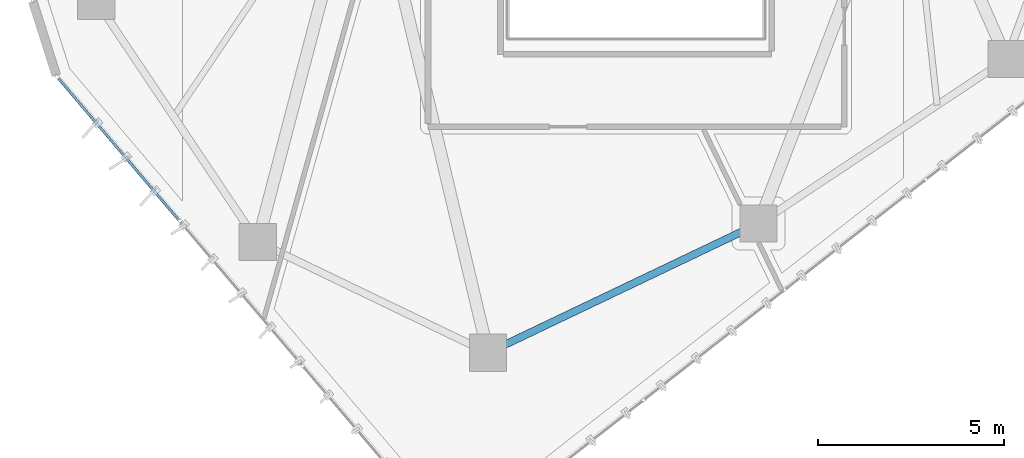
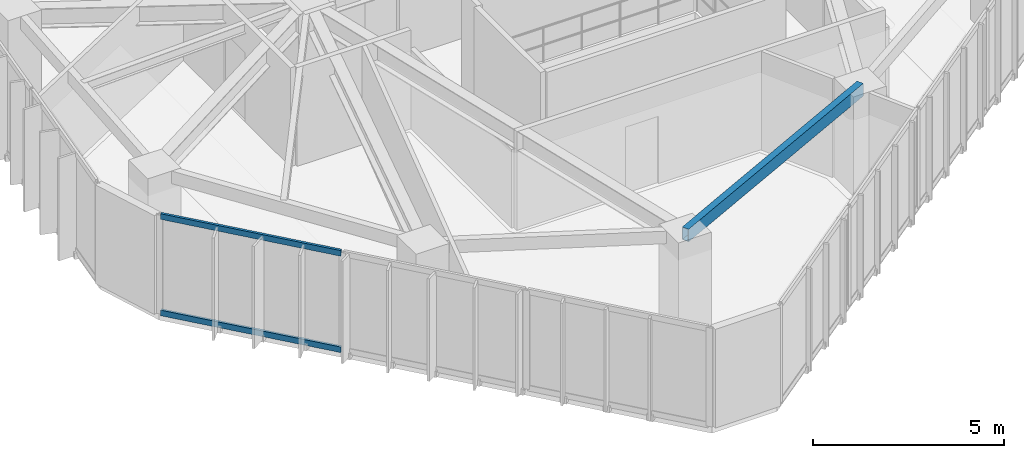
# One storey, part 3 of 21: 2 members, 1 beam, 1 element without a shape of its own.
"""IFC4 building model written with IfcOpenShell, lengths in metres."""

from ifc_helpers import new_model, si_unit, direction, frame, origin, origin_2d, place, context, subcontext, project, spatial, hollow_rectangle, extrude, source, transform, mapped, material, layer, layer_set, material_profile, profile_set, type_object, type_shapes, element, aggregate, save


model = new_model("IFC4")

# Units and contexts
model_context = context("Model", 3, precision=1e-05, world=origin(), true_north=direction((0.0, 1.0)))
body_context = subcontext(model_context, "Body", "Model", "MODEL_VIEW")
ifc_project = project(units=[si_unit("LENGTHUNIT", "METRE"), si_unit("AREAUNIT", "SQUARE_METRE"), si_unit("VOLUMEUNIT", "CUBIC_METRE"), si_unit("PLANEANGLEUNIT", "RADIAN"), si_unit("MASSUNIT", "GRAM", prefix="KILO")], contexts=[model_context])

# Site, building, storey
site_placement = place(None, origin())
site = spatial("IfcSite", under=ifc_project, at=site_placement, CompositionType="ELEMENT")
building_placement = place(site_placement, origin())
building = spatial("IfcBuilding", under=site, at=building_placement, Name="Talar Marvaseh", CompositionType="ELEMENT")
storey_placement = place(building_placement, frame((0.0, 0.0, 232.699951171875)))
storey = spatial("IfcBuildingStorey", under=building, at=storey_placement, Name="L61", CompositionType="ELEMENT", Elevation=232.699951171875)

# Beam
ifc_material_1 = material(Name="Steel S355", Category="steel")
ifc_material_profile_1 = material_profile(ifc_material_1, hollow_rectangle(XDim=0.199951171875, YDim=0.39990234375, WallThickness=0.013916015625, at=origin_2d()), Name="RHS400x200x14")
ifc_profile_set_1 = profile_set([ifc_material_profile_1], Name="Steel S355")
beam_type = type_object("IfcBeamType", Name="Zone 3 Perimeter Spandrel Beam RHS400x200x14", PredefinedType="SPANDREL", material=ifc_profile_set_1)
beam_placement = place(storey_placement, frame((29.299072265625, 14.993896484375, 2.949951171875), z_axis=(-0.902562267408, -0.430559349511, 0.0), x_axis=(0.430559349511, -0.902562267408, 0.0)))
element("IfcBeam", 1, at=beam_placement, inside=storey, type_object=beam_type, Name="L61 Zone 3 Perimeter Spandrel Beam RHS400x200x14", PredefinedType="SPANDREL", context=body_context, shape_type="SweptSolid", body=[
    extrude(hollow_rectangle(XDim=0.199951171875, YDim=0.39990234375, WallThickness=0.013916015625, at=origin_2d()), origin(), (0.0, 0.0, 1.0), 8.070556640625),
])

# Curtain wall, members
ifc_material_2 = material(Name="Architectural Aluminium", Category="aluminium")
ifc_layer = layer(ifc_material_2, 0.18994140625)
ifc_layer_set = layer_set([ifc_layer], Name="Architectural Aluminium")
curtain_wall_type = type_object("IfcCurtainWallType", Name="Unitised Solar Atelier Curtain Wall Z3", PredefinedType="NOTDEFINED", material=ifc_layer_set)
curtain_wall_placement = place(storey_placement, origin())
curtain_wall = element("IfcCurtainWall", 2, at=curtain_wall_placement, inside=storey, type_object=curtain_wall_type, Name="L61 Unitised Solar Atelier Curtain Wall Z3", PredefinedType="NOTDEFINED")
ifc_material_profile_2 = material_profile(ifc_material_2, hollow_rectangle(XDim=0.074951171875, YDim=0.179931640625, WallThickness=0.0048828125, at=origin_2d()), Name="RHS180x75x5")
ifc_profile_set_2 = profile_set([ifc_material_profile_2], Name="Architectural Aluminium")
member_type = type_object("IfcMemberType", Name="Unitised Curtain Wall Transom RHS180x75x5", PredefinedType="USERDEFINED", material=ifc_profile_set_2)
shared_shape = source(origin(), body_context, "Body", "SweptSolid", [
    extrude(hollow_rectangle(XDim=0.074951171875, YDim=0.179931640625, WallThickness=0.0048828125, at=origin_2d()), origin(), (0.0, 0.0, 1.0), 5.00048828125),
])
type_shapes(member_type, [shared_shape])
member_1_placement = place(storey_placement, frame((13.694091796875, 15.09228515625, 0.03759765625), z_axis=(-0.647435814852, 0.762119981136, 0.0), x_axis=(-0.762119981136, -0.647435814852, 0.0)))
member_1 = element("IfcMember", 3, at=member_1_placement, type_object=member_type, Name="CW-Z3 transom 3.1", ObjectType="TRANSOM", PredefinedType="USERDEFINED", context=body_context, shape_type="MappedRepresentation", body=[
    mapped(shared_shape, transform((0.0, 0.0, 0.0), x_axis=(1.0, 0.0, 0.0), y_axis=(0.0, 1.0, 0.0), z_axis=(0.0, 0.0, 1.0), scale=1.0)),
])
member_2_placement = place(storey_placement, frame((13.694091796875, 15.09228515625, 3.112548828125), z_axis=(-0.647435814852, 0.762119981136, 0.0), x_axis=(-0.762119981136, -0.647435814852, 0.0)))
member_2 = element("IfcMember", 4, at=member_2_placement, type_object=member_type, Name="CW-Z3 transom 3.2", ObjectType="TRANSOM", PredefinedType="USERDEFINED", context=body_context, shape_type="MappedRepresentation", body=[
    mapped(shared_shape, transform((0.0, 0.0, 0.0), x_axis=(1.0, 0.0, 0.0), y_axis=(0.0, 1.0, 0.0), z_axis=(0.0, 0.0, 1.0), scale=1.0)),
])
aggregate(curtain_wall, [member_1, member_2])

save(model, "model.ifc")
